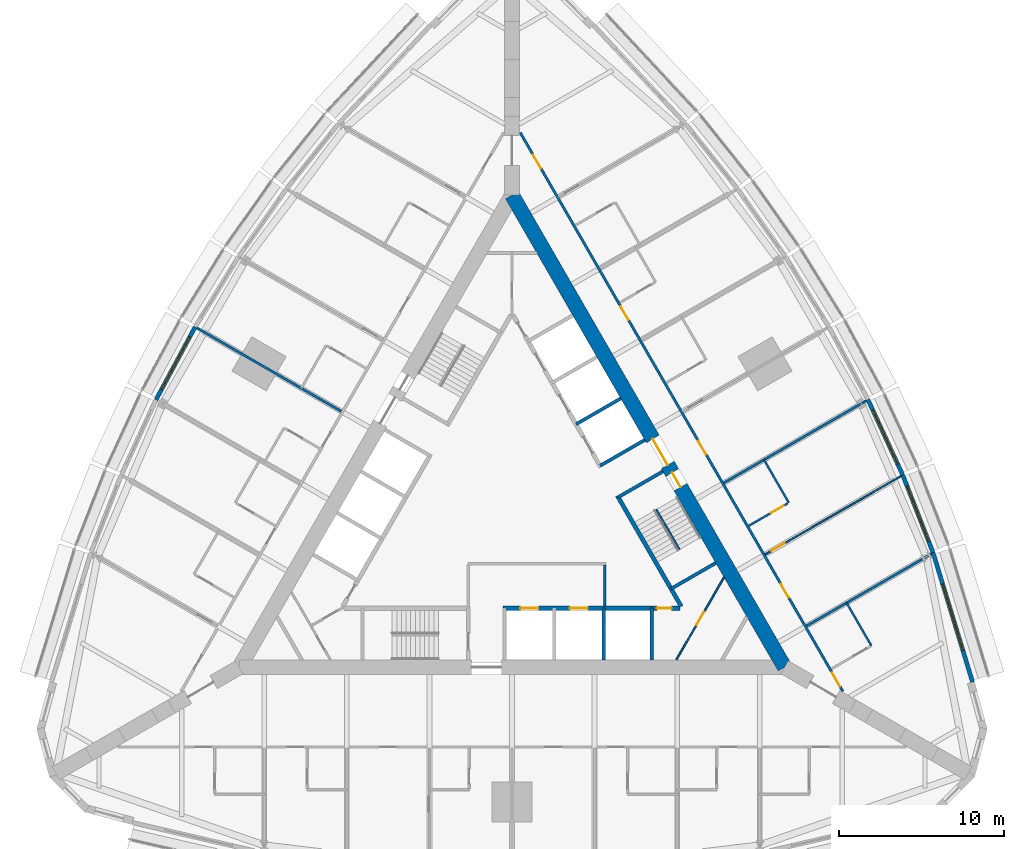
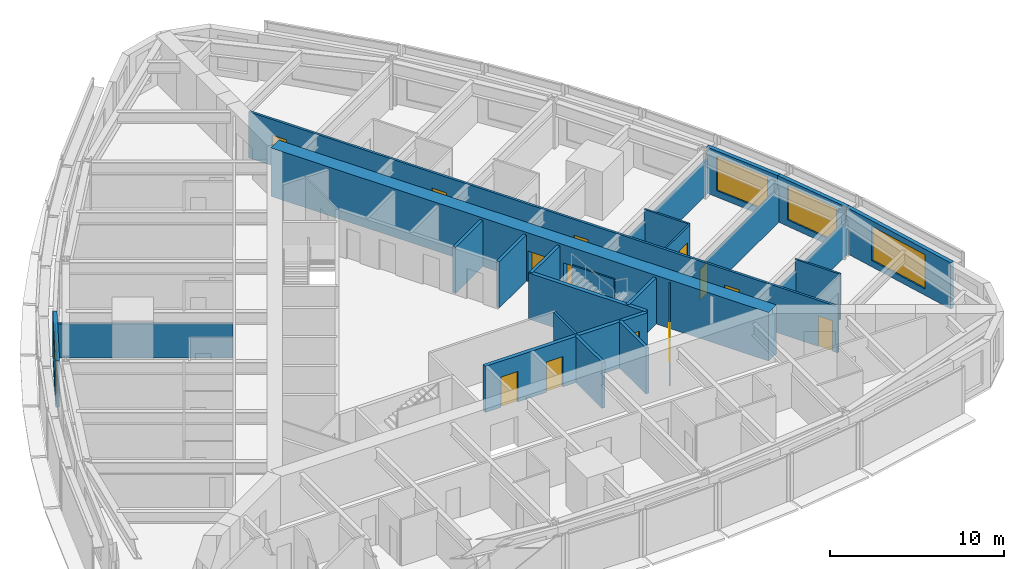
# One storey, part 11 of 14: 24 walls, 13 doors, 4 windows, 17 openings.
"""IFC4 building model written with IfcOpenShell, lengths in metres."""

from ifc_helpers import new_model, si_unit, direction, frame, frame_2d, origin, place, context, subcontext, project, spatial, rectangle, extrude, material, layer, layer_set, type_object, element, fill, save


model = new_model("IFC4")

# Units and contexts
model_context = context("Model", 3, precision=1e-05, world=origin(), true_north=direction((0.0, 1.0)))
body_context = subcontext(model_context, "Body", "Model", "MODEL_VIEW")
ifc_project = project(units=[si_unit("LENGTHUNIT", "METRE"), si_unit("AREAUNIT", "SQUARE_METRE"), si_unit("VOLUMEUNIT", "CUBIC_METRE"), si_unit("PLANEANGLEUNIT", "RADIAN"), si_unit("MASSUNIT", "GRAM", prefix="KILO")], contexts=[model_context])

# Site, building, storey
site_placement = place(None, origin())
site = spatial("IfcSite", under=ifc_project, at=site_placement, CompositionType="ELEMENT")
building_placement = place(site_placement, origin())
building = spatial("IfcBuilding", under=site, at=building_placement, Name="Trikona Tower", CompositionType="ELEMENT")
storey_placement = place(building_placement, frame((0.0, 0.0, 72.699951171875)))
storey = spatial("IfcBuildingStorey", under=building, at=storey_placement, Name="L18", CompositionType="ELEMENT", Elevation=72.699951171875)

# Walls
ifc_material_1 = material(Name="Metal stud and cement board", Category="gypsum")
ifc_layer_1 = layer(ifc_material_1, 0.1201171875)
ifc_layer_set_1 = layer_set([ifc_layer_1], Name="Bathroom wall 120")
wall_type_1 = type_object("IfcWallType", Name="Bathroom wall 120", PredefinedType="PLUMBINGWALL", material=ifc_layer_set_1)
for number, where, z_axis, x_axis, name in (
    (1, (21.75341796875, -8.225341796875, 0.0), (0.0, 0.0, 1.0), (-0.499990139034, 0.866031096941, 0.0), "Bathroom wall 1807"),
    (2, (16.75341796875, 0.434814453125, 0.0), (0.0, 0.0, 1.0), (-0.499990139034, 0.866031096941, 0.0), "Bathroom wall 1808.1"),
):
    element("IfcWall", number, at=place(storey_placement, frame(where, z_axis=z_axis, x_axis=x_axis)), inside=storey, type_object=wall_type_1, Name=name, PredefinedType="PLUMBINGWALL", context=body_context, shape_type="SweptSolid", body=[
        extrude(rectangle(XDim=3.0, YDim=0.1201171875, at=frame_2d((1.5, 0.0))), origin(), (0.0, 0.0, 1.0), 3.235107421875),
    ])

# Wall, opening, door
wall_1_placement = place(storey_placement, frame((14.32861328125, -0.965087890625, 0.0), z_axis=(0.0, 0.0, 1.0), x_axis=(0.866035715982, 0.499982138324, 0.0)))
wall_1 = element("IfcWall", 3, at=wall_1_placement, inside=storey, type_object=wall_type_1, Name="Bathroom wall 1808.1", PredefinedType="PLUMBINGWALL", context=body_context, shape_type="SweptSolid", body=[
    extrude(rectangle(XDim=2.73974609375, YDim=0.1201171875, at=frame_2d((1.369873046875, 0.0))), origin(), (0.0, 0.0, 1.0), 3.235107421875),
])
opening_1_placement = place(wall_1_placement, frame((1.550048828125, 0.0, 0.0)))
opening_1 = element("IfcOpeningElement", 4, at=opening_1_placement, cuts=wall_1, Name="Opening D2", PredefinedType="OPENING", context=body_context, shape_type="SweptSolid", body=[
    extrude(rectangle(XDim=0.89990234375, YDim=2.1298828125, at=frame_2d((0.449951171875, 1.06494140625))), frame((0.0, 0.070068359375, 0.0), z_axis=(0.0, -1.0, 0.0), x_axis=(1.0, 0.0, 0.0)), (0.0, 0.0, 1.0), 0.14013671875),
])
ifc_material_2 = material(Name="Steel door frame with solid-core timber leaf", Category="steel")
door_type_1 = type_object("IfcDoorType", Name="Bathroom door 900x2130", OperationType="SLIDING_TO_LEFT", PredefinedType="DOOR", material=ifc_material_2)
door_1_placement = place(opening_1_placement, origin())
door_1 = element("IfcDoor", 5, at=door_1_placement, inside=storey, type_object=door_type_1, Name="Bathroom door 1808.1", OperationType="SLIDING_TO_LEFT", OverallHeight=2.1298828125, OverallWidth=0.89990234375, PredefinedType="DOOR", context=body_context, shape_type="SweptSolid", body=[
    extrude(rectangle(XDim=0.89990234375, YDim=2.1298828125, at=frame_2d((0.449951171875, 1.06494140625))), frame((0.0, 0.02490234375, 0.0), z_axis=(0.0, -1.0, 0.0), x_axis=(1.0, 0.0, 0.0)), (0.0, 0.0, 1.0), 0.050048828125),
])
fill(opening_1, door_1)

# Wall, openings, doors
ifc_material_3 = material(Name="Concrete f'c 10000 psi", Category="concrete")
ifc_layer_2 = layer(ifc_material_3, 0.89990234375)
ifc_layer_set_2 = layer_set([ifc_layer_2], Name="Core wall 900")
wall_type_2 = type_object("IfcWallType", Name="Core wall 900", PredefinedType="SHEAR", material=ifc_layer_set_2)
wall_2_placement = place(storey_placement, frame((16.5, -9.5263671875, 0.0), z_axis=(0.0, 0.0, 1.0), x_axis=(-0.499999749417, 0.866025548458, 0.0)))
wall_2 = element("IfcWall", 6, at=wall_2_placement, inside=storey, type_object=wall_type_2, Name="Core wall B", PredefinedType="SHEAR", context=body_context, shape_type="SweptSolid", body=[
    extrude(rectangle(XDim=33.0, YDim=0.89990234375, at=frame_2d((16.5, 0.0))), origin(), (0.0, 0.0, 1.0), 3.400146484375),
])
opening_2_placement = place(wall_2_placement, frame((14.14990234375, 0.0, 0.0)))
opening_2 = element("IfcOpeningElement", 7, at=opening_2_placement, cuts=wall_2, Name="Opening D6", PredefinedType="OPENING", context=body_context, shape_type="SweptSolid", body=[
    extrude(rectangle(XDim=1.800048828125, YDim=2.1298828125, at=frame_2d((0.89990234375, 1.06494140625))), frame((0.0, 0.4599609375, 0.0), z_axis=(0.0, -1.0, 0.0), x_axis=(1.0, 0.0, 0.0)), (0.0, 0.0, 1.0), 0.919921875),
])
opening_3_placement = place(wall_2_placement, frame((12.60009765625, 0.0, 0.0)))
opening_3 = element("IfcOpeningElement", 8, at=opening_3_placement, cuts=wall_2, Name="Opening D5", PredefinedType="OPENING", context=body_context, shape_type="SweptSolid", body=[
    extrude(rectangle(XDim=1.0, YDim=2.1298828125, at=frame_2d((0.5, 1.06494140625))), frame((0.0, 0.4599609375, 0.0), z_axis=(0.0, -1.0, 0.0), x_axis=(1.0, 0.0, 0.0)), (0.0, 0.0, 1.0), 0.919921875),
])
ifc_material_4 = material(Name="Hollow metal door and frame", Category="steel")
door_type_2 = type_object("IfcDoorType", Name="Lobby door pair 1800x2130", OperationType="DOUBLE_DOOR_SINGLE_SWING", PredefinedType="DOOR", material=ifc_material_4)
door_2_placement = place(opening_2_placement, origin())
door_2 = element("IfcDoor", 9, at=door_2_placement, inside=storey, type_object=door_type_2, Name="Lift lobby door B", OperationType="DOUBLE_DOOR_SINGLE_SWING", OverallHeight=2.1298828125, OverallWidth=1.800048828125, PredefinedType="DOOR", context=body_context, shape_type="SweptSolid", body=[
    extrude(rectangle(XDim=1.800048828125, YDim=2.1298828125, at=frame_2d((0.89990234375, 1.06494140625))), frame((0.0, 0.02490234375, 0.0), z_axis=(0.0, -1.0, 0.0), x_axis=(1.0, 0.0, 0.0)), (0.0, 0.0, 1.0), 0.050048828125),
])
fill(opening_2, door_2)
ifc_material_5 = material(Name="Hollow metal door and frame", Category="steel")
door_type_3 = type_object("IfcDoorType", Name="Stair door 1000x2130", OperationType="SINGLE_SWING_LEFT", PredefinedType="DOOR", material=ifc_material_5)
door_3_placement = place(opening_3_placement, origin())
door_3 = element("IfcDoor", 10, at=door_3_placement, inside=storey, type_object=door_type_3, Name="Stair B door", OperationType="SINGLE_SWING_RIGHT", OverallHeight=2.1298828125, OverallWidth=1.0, PredefinedType="DOOR", context=body_context, shape_type="SweptSolid", body=[
    extrude(rectangle(XDim=1.0, YDim=2.1298828125, at=frame_2d((0.5, 1.06494140625))), frame((0.0, 0.02490234375, 0.0), z_axis=(0.0, -1.0, 0.0), x_axis=(1.0, 0.0, 0.0)), (0.0, 0.0, 1.0), 0.050048828125),
])
fill(opening_3, door_3)

ifc_material_6 = material(Name="Metal stud and gypsum board, 1-hour", Category="gypsum")
ifc_layer_3 = layer(ifc_material_6, 0.14990234375)
ifc_layer_set_3 = layer_set([ifc_layer_3], Name="Corridor wall 150")
wall_type_3 = type_object("IfcWallType", Name="Corridor wall 150", PredefinedType="PARTITIONING", material=ifc_layer_set_3)
wall_3_placement = place(storey_placement, frame((20.027099609375, -10.9853515625, 0.0), z_axis=(0.0, 0.0, 1.0), x_axis=(-0.500001677587, 0.866024435227, 0.0)))
wall_3 = element("IfcWall", 11, at=wall_3_placement, inside=storey, type_object=wall_type_3, Name="Corridor wall L18-2", PredefinedType="PARTITIONING", context=body_context, shape_type="SweptSolid", body=[
    extrude(rectangle(XDim=39.053955078125, YDim=0.14990234375, at=frame_2d((19.52685546875, 0.0))), origin(), (0.0, 0.0, 1.0), 3.235107421875),
])
opening_4_placement = place(wall_3_placement, frame((0.35205078125, 0.0, 0.0)))
opening_4 = element("IfcOpeningElement", 12, at=opening_4_placement, cuts=wall_3, Name="Opening D1", PredefinedType="OPENING", context=body_context, shape_type="SweptSolid", body=[
    extrude(rectangle(XDim=0.949951171875, YDim=2.1298828125, at=frame_2d((0.47509765625, 1.06494140625))), frame((0.0, 0.0849609375, 0.0), z_axis=(0.0, -1.0, 0.0), x_axis=(1.0, 0.0, 0.0)), (0.0, 0.0, 1.0), 0.169921875),
])
opening_5_placement = place(wall_3_placement, frame((6.552001953125, 0.0, 0.0)))
opening_5 = element("IfcOpeningElement", 13, at=opening_5_placement, cuts=wall_3, Name="Opening D1", PredefinedType="OPENING", context=body_context, shape_type="SweptSolid", body=[
    extrude(rectangle(XDim=0.949951171875, YDim=2.1298828125, at=frame_2d((0.47509765625, 1.06494140625))), frame((0.0, 0.0849609375, 0.0), z_axis=(0.0, -1.0, 0.0), x_axis=(1.0, 0.0, 0.0)), (0.0, 0.0, 1.0), 0.169921875),
])
opening_6_placement = place(wall_3_placement, frame((16.552001953125, 0.0, 0.0)))
opening_6 = element("IfcOpeningElement", 14, at=opening_6_placement, cuts=wall_3, Name="Opening D1", PredefinedType="OPENING", context=body_context, shape_type="SweptSolid", body=[
    extrude(rectangle(XDim=0.949951171875, YDim=2.1298828125, at=frame_2d((0.47509765625, 1.06494140625))), frame((0.0, 0.0849609375, 0.0), z_axis=(0.0, -1.0, 0.0), x_axis=(1.0, 0.0, 0.0)), (0.0, 0.0, 1.0), 0.169921875),
])
opening_7_placement = place(wall_3_placement, frame((25.951904296875, 0.0, 0.0)))
opening_7 = element("IfcOpeningElement", 15, at=opening_7_placement, cuts=wall_3, Name="Opening D1", PredefinedType="OPENING", context=body_context, shape_type="SweptSolid", body=[
    extrude(rectangle(XDim=0.949951171875, YDim=2.1298828125, at=frame_2d((0.47509765625, 1.06494140625))), frame((0.0, 0.0849609375, 0.0), z_axis=(0.0, -1.0, 0.0), x_axis=(1.0, 0.0, 0.0)), (0.0, 0.0, 1.0), 0.169921875),
])
opening_8_placement = place(wall_3_placement, frame((36.545654296875, 0.0, 0.0)))
opening_8 = element("IfcOpeningElement", 16, at=opening_8_placement, cuts=wall_3, Name="Opening D1", PredefinedType="OPENING", context=body_context, shape_type="SweptSolid", body=[
    extrude(rectangle(XDim=0.949951171875, YDim=2.1298828125, at=frame_2d((0.47509765625, 1.06494140625))), frame((0.0, 0.0849609375, 0.0), z_axis=(0.0, -1.0, 0.0), x_axis=(1.0, 0.0, 0.0)), (0.0, 0.0, 1.0), 0.169921875),
])
ifc_material_7 = material(Name="Steel door frame with solid-core timber leaf", Category="steel")
door_type_4 = type_object("IfcDoorType", Name="Guest room door 950x2130", OperationType="SINGLE_SWING_LEFT", PredefinedType="DOOR", material=ifc_material_7)
door_4_placement = place(opening_4_placement, origin())
door_4 = element("IfcDoor", 17, at=door_4_placement, inside=storey, type_object=door_type_4, Name="Room door 1807", OperationType="SINGLE_SWING_LEFT", OverallHeight=2.1298828125, OverallWidth=0.949951171875, PredefinedType="DOOR", context=body_context, shape_type="SweptSolid", body=[
    extrude(rectangle(XDim=0.949951171875, YDim=2.1298828125, at=frame_2d((0.47509765625, 1.06494140625))), frame((0.0, 0.02490234375, 0.0), z_axis=(0.0, -1.0, 0.0), x_axis=(1.0, 0.0, 0.0)), (0.0, 0.0, 1.0), 0.050048828125),
])
fill(opening_4, door_4)
door_5_placement = place(opening_5_placement, origin())
door_5 = element("IfcDoor", 18, at=door_5_placement, inside=storey, type_object=door_type_4, Name="Room door 1808", OperationType="SINGLE_SWING_RIGHT", OverallHeight=2.1298828125, OverallWidth=0.949951171875, PredefinedType="DOOR", context=body_context, shape_type="SweptSolid", body=[
    extrude(rectangle(XDim=0.949951171875, YDim=2.1298828125, at=frame_2d((0.47509765625, 1.06494140625))), frame((0.0, 0.02490234375, 0.0), z_axis=(0.0, -1.0, 0.0), x_axis=(1.0, 0.0, 0.0)), (0.0, 0.0, 1.0), 0.050048828125),
])
fill(opening_5, door_5)
door_6_placement = place(opening_6_placement, origin())
door_6 = element("IfcDoor", 19, at=door_6_placement, inside=storey, type_object=door_type_4, Name="Room door 1809", OperationType="SINGLE_SWING_LEFT", OverallHeight=2.1298828125, OverallWidth=0.949951171875, PredefinedType="DOOR", context=body_context, shape_type="SweptSolid", body=[
    extrude(rectangle(XDim=0.949951171875, YDim=2.1298828125, at=frame_2d((0.47509765625, 1.06494140625))), frame((0.0, 0.02490234375, 0.0), z_axis=(0.0, -1.0, 0.0), x_axis=(1.0, 0.0, 0.0)), (0.0, 0.0, 1.0), 0.050048828125),
])
fill(opening_6, door_6)
door_7_placement = place(opening_7_placement, origin())
door_7 = element("IfcDoor", 20, at=door_7_placement, inside=storey, type_object=door_type_4, Name="Room door 1810", OperationType="SINGLE_SWING_RIGHT", OverallHeight=2.1298828125, OverallWidth=0.949951171875, PredefinedType="DOOR", context=body_context, shape_type="SweptSolid", body=[
    extrude(rectangle(XDim=0.949951171875, YDim=2.1298828125, at=frame_2d((0.47509765625, 1.06494140625))), frame((0.0, 0.02490234375, 0.0), z_axis=(0.0, -1.0, 0.0), x_axis=(1.0, 0.0, 0.0)), (0.0, 0.0, 1.0), 0.050048828125),
])
fill(opening_7, door_7)
door_8_placement = place(opening_8_placement, origin())
door_8 = element("IfcDoor", 21, at=door_8_placement, inside=storey, type_object=door_type_4, Name="Room door 1811", OperationType="SINGLE_SWING_RIGHT", OverallHeight=2.1298828125, OverallWidth=0.949951171875, PredefinedType="DOOR", context=body_context, shape_type="SweptSolid", body=[
    extrude(rectangle(XDim=0.949951171875, YDim=2.1298828125, at=frame_2d((0.47509765625, 1.06494140625))), frame((0.0, 0.02490234375, 0.0), z_axis=(0.0, -1.0, 0.0), x_axis=(1.0, 0.0, 0.0)), (0.0, 0.0, 1.0), 0.050048828125),
])
fill(opening_8, door_8)

ifc_material_8 = material(Name="Concrete f'c 8000 psi", Category="concrete")
ifc_layer_4 = layer(ifc_material_8, 0.25)
ifc_layer_set_4 = layer_set([ifc_layer_4], Name="Hub wall 250")
wall_type_4 = type_object("IfcWallType", Name="Hub wall 250", PredefinedType="SOLIDWALL", material=ifc_layer_set_4)
wall_4_placement = place(storey_placement, frame((-0.550048828125, -5.951416015625, 0.0), z_axis=(0.0, 0.0, 1.0), x_axis=(1.0, 0.0, 0.0)))
wall_4 = element("IfcWall", 22, at=wall_4_placement, inside=storey, type_object=wall_type_4, Name="Lift lobby wall A2", PredefinedType="SOLIDWALL", context=body_context, shape_type="SweptSolid", body=[
    extrude(rectangle(XDim=10.73291015625, YDim=0.25, at=frame_2d((5.366455078125, 0.0))), origin(), (0.0, 0.0, 1.0), 3.235107421875),
])
opening_9_placement = place(wall_4_placement, frame((9.31396484375, 0.0, 0.0)))
opening_9 = element("IfcOpeningElement", 23, at=opening_9_placement, cuts=wall_4, Name="Opening D14", PredefinedType="OPENING", context=body_context, shape_type="SweptSolid", body=[
    extrude(rectangle(XDim=0.89990234375, YDim=2.1298828125, at=frame_2d((0.449951171875, 1.06494140625))), frame((0.0, 0.135009765625, 0.0), z_axis=(0.0, -1.0, 0.0), x_axis=(1.0, 0.0, 0.0)), (0.0, 0.0, 1.0), 0.27001953125),
])
opening_10_placement = place(wall_4_placement, frame((1.050048828125, 0.0, 0.0)))
opening_10 = element("IfcOpeningElement", 24, at=opening_10_placement, cuts=wall_4, Name="Opening LD", PredefinedType="OPENING", context=body_context, shape_type="SweptSolid", body=[
    extrude(rectangle(XDim=1.10009765625, YDim=2.1298828125, at=frame_2d((0.550048828125, 1.06494140625))), frame((0.0, 0.135009765625, 0.0), z_axis=(0.0, -1.0, 0.0), x_axis=(1.0, 0.0, 0.0)), (0.0, 0.0, 1.0), 0.27001953125),
])
opening_11_placement = place(wall_4_placement, frame((4.050048828125, 0.0, 0.0)))
opening_11 = element("IfcOpeningElement", 25, at=opening_11_placement, cuts=wall_4, Name="Opening LD", PredefinedType="OPENING", context=body_context, shape_type="SweptSolid", body=[
    extrude(rectangle(XDim=1.10009765625, YDim=2.1298828125, at=frame_2d((0.550048828125, 1.06494140625))), frame((0.0, 0.135009765625, 0.0), z_axis=(0.0, -1.0, 0.0), x_axis=(1.0, 0.0, 0.0)), (0.0, 0.0, 1.0), 0.27001953125),
])
ifc_material_9 = material(Name="Stainless steel lift landing door", Category="steel")
door_type_5 = type_object("IfcDoorType", Name="Lift landing door 1100x2130", OperationType="DOUBLE_DOOR_SLIDING", PredefinedType="USERDEFINED", material=ifc_material_9)
door_9_placement = place(opening_10_placement, origin())
door_9 = element("IfcDoor", 26, at=door_9_placement, inside=storey, type_object=door_type_5, Name="Lift landing door FF1", ObjectType="LIFT LANDING DOOR", OperationType="DOUBLE_DOOR_SLIDING", OverallHeight=2.1298828125, OverallWidth=1.10009765625, PredefinedType="USERDEFINED", context=body_context, shape_type="SweptSolid", body=[
    extrude(rectangle(XDim=1.10009765625, YDim=2.1298828125, at=frame_2d((0.550048828125, 1.06494140625))), frame((0.0, 0.02490234375, 0.0), z_axis=(0.0, -1.0, 0.0), x_axis=(1.0, 0.0, 0.0)), (0.0, 0.0, 1.0), 0.050048828125),
])
fill(opening_10, door_9)
door_10_placement = place(opening_11_placement, origin())
door_10 = element("IfcDoor", 27, at=door_10_placement, inside=storey, type_object=door_type_5, Name="Lift landing door FF2", ObjectType="LIFT LANDING DOOR", OperationType="DOUBLE_DOOR_SLIDING", OverallHeight=2.1298828125, OverallWidth=1.10009765625, PredefinedType="USERDEFINED", context=body_context, shape_type="SweptSolid", body=[
    extrude(rectangle(XDim=1.10009765625, YDim=2.1298828125, at=frame_2d((0.550048828125, 1.06494140625))), frame((0.0, 0.02490234375, 0.0), z_axis=(0.0, -1.0, 0.0), x_axis=(1.0, 0.0, 0.0)), (0.0, 0.0, 1.0), 0.050048828125),
])
fill(opening_11, door_10)
ifc_material_10 = material(Name="Hollow metal door and frame", Category="steel")
door_type_6 = type_object("IfcDoorType", Name="Service room door 900x2130", OperationType="SINGLE_SWING_LEFT", PredefinedType="DOOR", material=ifc_material_10)
door_11_placement = place(opening_9_placement, origin())
door_11 = element("IfcDoor", 28, at=door_11_placement, inside=storey, type_object=door_type_6, Name="Door Ice and vending ICE", OperationType="SINGLE_SWING_RIGHT", OverallHeight=2.1298828125, OverallWidth=0.89990234375, PredefinedType="DOOR", context=body_context, shape_type="SweptSolid", body=[
    extrude(rectangle(XDim=0.89990234375, YDim=2.1298828125, at=frame_2d((0.449951171875, 1.06494140625))), frame((0.0, 0.02490234375, 0.0), z_axis=(0.0, -1.0, 0.0), x_axis=(1.0, 0.0, 0.0)), (0.0, 0.0, 1.0), 0.050048828125),
])
fill(opening_9, door_11)

# Wall
wall_5_placement = place(storey_placement, frame((10.245361328125, -5.843017578125, 0.0), z_axis=(0.0, 0.0, 1.0), x_axis=(-0.499993009313, 0.866029439822, 0.0)))
element("IfcWall", 29, at=wall_5_placement, inside=storey, type_object=wall_type_4, Name="Lift lobby wall B1", PredefinedType="SOLIDWALL", context=body_context, shape_type="SweptSolid", body=[
    extrude(rectangle(XDim=7.73291015625, YDim=0.25, at=frame_2d((3.866455078125, 0.0))), origin(), (0.0, 0.0, 1.0), 3.235107421875),
])

# Wall, opening, window
ifc_material_11 = material(Name="Insulated precast concrete spandrel panel", Category="concrete")
ifc_layer_5 = layer(ifc_material_11, 0.25)
ifc_layer_set_5 = layer_set([ifc_layer_5], Name="Inner skin wall 250")
wall_type_5 = type_object("IfcWallType", Name="Inner skin wall 250", PredefinedType="STANDARD", material=ifc_layer_set_5)
wall_6_placement = place(storey_placement, frame((27.88037109375, -10.4287109375, 0.0), z_axis=(0.0, 0.0, 1.0), x_axis=(-0.2919790669, 0.956424709265, 0.0)))
wall_6 = element("IfcWall", 30, at=wall_6_placement, inside=storey, type_object=wall_type_5, Name="External wall L18-12", PredefinedType="STANDARD", context=body_context, shape_type="SweptSolid", body=[
    extrude(rectangle(XDim=8.211181640625, YDim=0.25, at=frame_2d((4.10546875, 0.0))), origin(), (0.0, 0.0, 1.0), 3.235107421875),
])
opening_12_placement = place(wall_6_placement, frame((2.005615234375, 0.0, 0.449951171875)))
opening_12 = element("IfcOpeningElement", 31, at=opening_12_placement, cuts=wall_6, Name="Opening W4224", PredefinedType="OPENING", context=body_context, shape_type="SweptSolid", body=[
    extrude(rectangle(XDim=4.199951171875, YDim=2.39990234375, at=frame_2d((2.10009765625, 1.199951171875))), frame((0.0, 0.135009765625, 0.0), z_axis=(0.0, -1.0, 0.0), x_axis=(1.0, 0.0, 0.0)), (0.0, 0.0, 1.0), 0.27001953125),
])
ifc_material_12 = material(Name="Aluminium-framed double glazing", Category="aluminium")
window_type_1 = type_object("IfcWindowType", Name="Window 4200x2400", PartitioningType="SINGLE_PANEL", PredefinedType="WINDOW", material=ifc_material_12)
window_1_placement = place(opening_12_placement, origin())
window_1 = element("IfcWindow", 32, at=window_1_placement, inside=storey, type_object=window_type_1, Name="Window 1807", OverallHeight=2.39990234375, OverallWidth=4.199951171875, PartitioningType="SINGLE_PANEL", PredefinedType="WINDOW", context=body_context, shape_type="SweptSolid", body=[
    extrude(rectangle(XDim=4.199951171875, YDim=2.39990234375, at=frame_2d((2.10009765625, 1.199951171875))), frame((0.0, 0.030029296875, 0.0), z_axis=(0.0, -1.0, 0.0), x_axis=(1.0, 0.0, 0.0)), (0.0, 0.0, 1.0), 0.06005859375),
])
fill(opening_12, window_1)

wall_7_placement = place(storey_placement, frame((25.486083984375, -2.58447265625, 0.0), z_axis=(0.0, 0.0, 1.0), x_axis=(-0.364013463868, 0.931393685894, 0.0)))
wall_7 = element("IfcWall", 33, at=wall_7_placement, inside=storey, type_object=wall_type_5, Name="External wall L18-13", PredefinedType="STANDARD", context=body_context, shape_type="SweptSolid", body=[
    extrude(rectangle(XDim=5.0576171875, YDim=0.25, at=frame_2d((2.52880859375, 0.0))), origin(), (0.0, 0.0, 1.0), 3.235107421875),
])
opening_13_placement = place(wall_7_placement, frame((0.728759765625, 0.0, 0.449951171875)))
opening_13 = element("IfcOpeningElement", 34, at=opening_13_placement, cuts=wall_7, Name="Opening W3624", PredefinedType="OPENING", context=body_context, shape_type="SweptSolid", body=[
    extrude(rectangle(XDim=3.60009765625, YDim=2.39990234375, at=frame_2d((1.800048828125, 1.199951171875))), frame((0.0, 0.135009765625, 0.0), z_axis=(0.0, -1.0, 0.0), x_axis=(1.0, 0.0, 0.0)), (0.0, 0.0, 1.0), 0.27001953125),
])
ifc_material_13 = material(Name="Aluminium-framed double glazing", Category="aluminium")
window_type_2 = type_object("IfcWindowType", Name="Window 3600x2400", PartitioningType="SINGLE_PANEL", PredefinedType="WINDOW", material=ifc_material_13)
window_2_placement = place(opening_13_placement, origin())
window_2 = element("IfcWindow", 35, at=window_2_placement, inside=storey, type_object=window_type_2, Name="Window 1808", OverallHeight=2.39990234375, OverallWidth=3.60009765625, PartitioningType="SINGLE_PANEL", PredefinedType="WINDOW", context=body_context, shape_type="SweptSolid", body=[
    extrude(rectangle(XDim=3.60009765625, YDim=2.39990234375, at=frame_2d((1.800048828125, 1.199951171875))), frame((0.0, 0.030029296875, 0.0), z_axis=(0.0, -1.0, 0.0), x_axis=(1.0, 0.0, 0.0)), (0.0, 0.0, 1.0), 0.06005859375),
])
fill(opening_13, window_2)

wall_8_placement = place(storey_placement, frame((23.64794921875, 2.119384765625, 0.0), z_axis=(0.0, 0.0, 1.0), x_axis=(-0.419203100754, 0.907892482796, 0.0)))
wall_8 = element("IfcWall", 36, at=wall_8_placement, inside=storey, type_object=wall_type_5, Name="External wall L18-14", PredefinedType="STANDARD", context=body_context, shape_type="SweptSolid", body=[
    extrude(rectangle(XDim=5.020751953125, YDim=0.25, at=frame_2d((2.51025390625, 0.0))), origin(), (0.0, 0.0, 1.0), 3.235107421875),
])
opening_14_placement = place(wall_8_placement, frame((0.71044921875, 0.0, 0.449951171875)))
opening_14 = element("IfcOpeningElement", 37, at=opening_14_placement, cuts=wall_8, Name="Opening W3624", PredefinedType="OPENING", context=body_context, shape_type="SweptSolid", body=[
    extrude(rectangle(XDim=3.60009765625, YDim=2.39990234375, at=frame_2d((1.800048828125, 1.199951171875))), frame((0.0, 0.135009765625, 0.0), z_axis=(0.0, -1.0, 0.0), x_axis=(1.0, 0.0, 0.0)), (0.0, 0.0, 1.0), 0.27001953125),
])
window_3_placement = place(opening_14_placement, origin())
window_3 = element("IfcWindow", 38, at=window_3_placement, inside=storey, type_object=window_type_2, Name="Window 1808.1", OverallHeight=2.39990234375, OverallWidth=3.60009765625, PartitioningType="SINGLE_PANEL", PredefinedType="WINDOW", context=body_context, shape_type="SweptSolid", body=[
    extrude(rectangle(XDim=3.60009765625, YDim=2.39990234375, at=frame_2d((1.800048828125, 1.199951171875))), frame((0.0, 0.030029296875, 0.0), z_axis=(0.0, -1.0, 0.0), x_axis=(1.0, 0.0, 0.0)), (0.0, 0.0, 1.0), 0.06005859375),
])
fill(opening_14, window_3)

wall_9_placement = place(storey_placement, frame((-19.178466796875, 11.0771484375, 0.0), z_axis=(0.0, 0.0, 1.0), x_axis=(-0.473412820489, -0.880840678782, 0.0)))
wall_9 = element("IfcWall", 39, at=wall_9_placement, inside=storey, type_object=wall_type_5, Name="External wall L18-28", PredefinedType="STANDARD", context=body_context, shape_type="SweptSolid", body=[
    extrude(rectangle(XDim=5.00244140625, YDim=0.25, at=frame_2d((2.501220703125, 0.0))), origin(), (0.0, 0.0, 1.0), 3.235107421875),
])
opening_15_placement = place(wall_9_placement, frame((0.701171875, 0.0, 0.449951171875)))
opening_15 = element("IfcOpeningElement", 40, at=opening_15_placement, cuts=wall_9, Name="Opening W3624", PredefinedType="OPENING", context=body_context, shape_type="SweptSolid", body=[
    extrude(rectangle(XDim=3.60009765625, YDim=2.39990234375, at=frame_2d((1.800048828125, 1.199951171875))), frame((0.0, 0.135009765625, 0.0), z_axis=(0.0, -1.0, 0.0), x_axis=(1.0, 0.0, 0.0)), (0.0, 0.0, 1.0), 0.27001953125),
])
window_4_placement = place(opening_15_placement, origin())
window_4 = element("IfcWindow", 41, at=window_4_placement, inside=storey, type_object=window_type_2, Name="Window 1814", OverallHeight=2.39990234375, OverallWidth=3.60009765625, PartitioningType="SINGLE_PANEL", PredefinedType="WINDOW", context=body_context, shape_type="SweptSolid", body=[
    extrude(rectangle(XDim=3.60009765625, YDim=2.39990234375, at=frame_2d((1.800048828125, 1.199951171875))), frame((0.0, 0.030029296875, 0.0), z_axis=(0.0, -1.0, 0.0), x_axis=(1.0, 0.0, 0.0)), (0.0, 0.0, 1.0), 0.06005859375),
])
fill(opening_15, window_4)

# Walls
ifc_material_14 = material(Name="Metal stud and gypsum board, 2-hour shaft wall", Category="gypsum")
ifc_layer_6 = layer(ifc_material_14, 0.14990234375)
ifc_layer_set_6 = layer_set([ifc_layer_6], Name="Lobby wall 150")
wall_type_6 = type_object("IfcWallType", Name="Lobby wall 150", PredefinedType="PARTITIONING", material=ifc_layer_set_6)
wall_10_placement = place(storey_placement, frame((5.625, -5.826416015625, 0.0), z_axis=(0.0, 0.0, 1.0), x_axis=(0.0, 1.0, 0.0)))
element("IfcWall", 42, at=wall_10_placement, inside=storey, type_object=wall_type_6, Name="Fire service lift lobby wall 3", PredefinedType="PARTITIONING", context=body_context, shape_type="SweptSolid", body=[
    extrude(rectangle(XDim=2.5, YDim=0.14990234375, at=frame_2d((1.25, 0.0))), origin(), (0.0, 0.0, 1.0), 3.235107421875),
])
ifc_material_15 = material(Name="Metal stud and gypsum board, 1-hour acoustic", Category="gypsum")
ifc_layer_7 = layer(ifc_material_15, 0.14990234375)
ifc_layer_set_7 = layer_set([ifc_layer_7], Name="Party wall 150")
wall_type_7 = type_object("IfcWallType", Name="Party wall 150", PredefinedType="PARTITIONING", material=ifc_layer_set_7)
wall_11_placement = place(storey_placement, frame((17.82861328125, -7.027099609375, 0.0), z_axis=(0.0, 0.0, 1.0), x_axis=(0.866032659912, 0.499987431809, 0.0)))
element("IfcWall", 43, at=wall_11_placement, inside=storey, type_object=wall_type_7, Name="Partition L18 F2 u-15", PredefinedType="PARTITIONING", context=body_context, shape_type="SweptSolid", body=[
    extrude(rectangle(XDim=8.719970703125, YDim=0.14990234375, at=frame_2d((4.35986328125, 0.0))), origin(), (0.0, 0.0, 1.0), 2.38916015625),
])
wall_12_placement = place(storey_placement, frame((12.82861328125, 1.633056640625, 0.0), z_axis=(0.0, 0.0, 1.0), x_axis=(0.866026934769, 0.499997348248, 0.0)))
element("IfcWall", 44, at=wall_12_placement, inside=storey, type_object=wall_type_7, Name="Partition L18 F2 u-5", PredefinedType="PARTITIONING", context=body_context, shape_type="SweptSolid", body=[
    extrude(rectangle(XDim=9.94287109375, YDim=0.14990234375, at=frame_2d((4.971435546875, 0.0))), origin(), (0.0, 0.0, 1.0), 2.38916015625),
])
wall_13_placement = place(storey_placement, frame((-10.32861328125, 5.963134765625, 0.0), z_axis=(0.0, 0.0, 1.0), x_axis=(-0.866021688545, 0.500006434927, 0.0)))
element("IfcWall", 45, at=wall_13_placement, inside=storey, type_object=wall_type_7, Name="Partition L18 F3 u-5.10703e-15", PredefinedType="PARTITIONING", context=body_context, shape_type="SweptSolid", body=[
    extrude(rectangle(XDim=10.095947265625, YDim=0.14990234375, at=frame_2d((5.0478515625, 0.0))), origin(), (0.0, 0.0, 1.0), 2.38916015625),
])
ifc_material_16 = material(Name="Concrete f'c 8000 psi", Category="concrete")
ifc_layer_8 = layer(ifc_material_16, 0.199951171875)
ifc_layer_set_8 = layer_set([ifc_layer_8], Name="Shaft wall 200")
wall_type_8 = type_object("IfcWallType", Name="Shaft wall 200", PredefinedType="SOLIDWALL", material=ifc_layer_set_8)
for number, where, z_axis, x_axis, name in (
    (46, (5.550048828125, -5.951416015625, 0.0), (0.0, 0.0, 1.0), (0.0, -1.0, 0.0), "Shaft wall A5"),
    (47, (8.449951171875, -5.951416015625, 0.0), (0.0, 0.0, 1.0), (0.0, -1.0, 0.0), "Shaft wall A6"),
    (48, (5.3291015625, 2.672607421875, 0.0), (0.0, 0.0, 1.0), (0.866022959057, 0.500004234368, 0.0), "Shaft wall B3"),
    (49, (3.87890625, 5.18408203125, 0.0), (0.0, 0.0, 1.0), (0.866022959057, 0.500004234368, 0.0), "Shaft wall B4"),
):
    element("IfcWall", number, at=place(storey_placement, frame(where, z_axis=z_axis, x_axis=x_axis)), inside=storey, type_object=wall_type_8, Name=name, PredefinedType="SOLIDWALL", context=body_context, shape_type="SweptSolid", body=[
        extrude(rectangle(XDim=3.125, YDim=0.199951171875, at=frame_2d((1.5625, 0.0))), origin(), (0.0, 0.0, 1.0), 3.235107421875),
    ])
ifc_material_17 = material(Name="Concrete f'c 8000 psi", Category="concrete")
ifc_layer_9 = layer(ifc_material_17, 0.199951171875)
ifc_layer_set_9 = layer_set([ifc_layer_9], Name="Shaft wall 200 load-bearing")
wall_type_9 = type_object("IfcWallType", Name="Shaft wall 200 load-bearing", PredefinedType="SOLIDWALL", material=ifc_layer_set_9)
for number, where, z_axis, x_axis, name in (
    (50, (9.62890625, -4.775390625, 0.0), (0.0, 0.0, 1.0), (0.866022959057, 0.500004234368, 0.0), "Shaft wall B1"),
    (51, (6.428955078125, 0.767333984375, 0.0), (0.0, 0.0, 1.0), (0.866022959057, 0.500004234368, 0.0), "Shaft wall B2"),
):
    element("IfcWall", number, at=place(storey_placement, frame(where, z_axis=z_axis, x_axis=x_axis)), inside=storey, type_object=wall_type_9, Name=name, PredefinedType="SOLIDWALL", context=body_context, shape_type="SweptSolid", body=[
        extrude(rectangle(XDim=3.125, YDim=0.199951171875, at=frame_2d((1.5625, 0.0))), origin(), (0.0, 0.0, 1.0), 3.235107421875),
    ])
ifc_material_18 = material(Name="Concrete f'c 5000 psi", Category="concrete")
ifc_layer_10 = layer(ifc_material_18, 0.10009765625)
ifc_layer_set_10 = layer_set([ifc_layer_10], Name="Stair spine wall 100")
wall_type_10 = type_object("IfcWallType", Name="Stair spine wall 100", PredefinedType="SOLIDWALL", material=ifc_layer_set_10)
wall_14_placement = place(storey_placement, frame((10.134765625, -2.4013671875, 0.0), z_axis=(0.0, 0.0, 1.0), x_axis=(-0.499992232847, 0.866029888106, 0.0)))
element("IfcWall", 52, at=wall_14_placement, inside=storey, type_object=wall_type_10, Name="Stair B spine wall L18", PredefinedType="SOLIDWALL", context=body_context, shape_type="SweptSolid", body=[
    extrude(rectangle(XDim=2.7939453125, YDim=0.10009765625, at=frame_2d((1.39697265625, 0.0))), origin(), (0.0, 0.0, 1.0), 3.400146484375),
])

# Wall, opening, door
ifc_material_19 = material(Name="Metal stud and gypsum board, acoustic", Category="gypsum")
ifc_layer_11 = layer(ifc_material_19, 0.10009765625)
ifc_layer_set_11 = layer_set([ifc_layer_11], Name="Suite partition 100")
wall_type_11 = type_object("IfcWallType", Name="Suite partition 100", PredefinedType="PARTITIONING", material=ifc_layer_set_11)
wall_15_placement = place(storey_placement, frame((15.32861328125, -2.697021484375, 0.0), z_axis=(0.0, 0.0, 1.0), x_axis=(0.866018409083, 0.500012114982, 0.0)))
wall_15 = element("IfcWall", 53, at=wall_15_placement, inside=storey, type_object=wall_type_11, Name="Suite partition L18 F2 u-10", PredefinedType="PARTITIONING", context=body_context, shape_type="SweptSolid", body=[
    extrude(rectangle(XDim=9.484619140625, YDim=0.10009765625, at=frame_2d((4.7421875, 0.0))), origin(), (0.0, 0.0, 1.0), 2.38916015625),
])
opening_16_placement = place(wall_15_placement, frame((0.449951171875, 0.0, 0.0)))
opening_16 = element("IfcOpeningElement", 54, at=opening_16_placement, cuts=wall_15, Name="Opening D13", PredefinedType="OPENING", context=body_context, shape_type="SweptSolid", body=[
    extrude(rectangle(XDim=0.89990234375, YDim=2.1298828125, at=frame_2d((0.449951171875, 1.06494140625))), frame((0.0, 0.06005859375, 0.0), z_axis=(0.0, -1.0, 0.0), x_axis=(1.0, 0.0, 0.0)), (0.0, 0.0, 1.0), 0.1201171875),
])
ifc_material_20 = material(Name="Steel door frame with solid-core timber leaf", Category="steel")
door_type_7 = type_object("IfcDoorType", Name="Suite door 900x2130", OperationType="SINGLE_SWING_LEFT", PredefinedType="DOOR", material=ifc_material_20)
door_12_placement = place(opening_16_placement, origin())
door_12 = element("IfcDoor", 55, at=door_12_placement, inside=storey, type_object=door_type_7, Name="Suite door 1808", OperationType="SINGLE_SWING_LEFT", OverallHeight=2.1298828125, OverallWidth=0.89990234375, PredefinedType="DOOR", context=body_context, shape_type="SweptSolid", body=[
    extrude(rectangle(XDim=0.89990234375, YDim=2.1298828125, at=frame_2d((0.449951171875, 1.06494140625))), frame((0.0, 0.02490234375, 0.0), z_axis=(0.0, -1.0, 0.0), x_axis=(1.0, 0.0, 0.0)), (0.0, 0.0, 1.0), 0.050048828125),
])
fill(opening_16, door_12)

wall_16_placement = place(storey_placement, frame((12.833984375, -4.076416015625, 0.0), z_axis=(0.0, 0.0, 1.0), x_axis=(-0.500027479704, -0.866009537788, 0.0)))
wall_16 = element("IfcWall", 56, at=wall_16_placement, inside=storey, type_object=wall_type_11, Name="Store partition L18-RS1", PredefinedType="PARTITIONING", context=body_context, shape_type="SweptSolid", body=[
    extrude(rectangle(XDim=5.773681640625, YDim=0.10009765625, at=frame_2d((2.88671875, 0.0))), origin(), (0.0, 0.0, 1.0), 3.235107421875),
])
opening_17_placement = place(wall_16_placement, frame((2.436767578125, 0.0, 0.0)))
opening_17 = element("IfcOpeningElement", 57, at=opening_17_placement, cuts=wall_16, Name="Opening D15", PredefinedType="OPENING", context=body_context, shape_type="SweptSolid", body=[
    extrude(rectangle(XDim=0.89990234375, YDim=2.1298828125, at=frame_2d((0.449951171875, 1.06494140625))), frame((0.0, 0.06005859375, 0.0), z_axis=(0.0, -1.0, 0.0), x_axis=(1.0, 0.0, 0.0)), (0.0, 0.0, 1.0), 0.1201171875),
])
ifc_material_21 = material(Name="Steel door frame with solid-core timber leaf", Category="steel")
door_type_8 = type_object("IfcDoorType", Name="Store door 900x2130", OperationType="SINGLE_SWING_LEFT", PredefinedType="DOOR", material=ifc_material_21)
door_13_placement = place(opening_17_placement, origin())
door_13 = element("IfcDoor", 58, at=door_13_placement, inside=storey, type_object=door_type_8, Name="Door Cleaner's store CLN", OperationType="SINGLE_SWING_RIGHT", OverallHeight=2.1298828125, OverallWidth=0.89990234375, PredefinedType="DOOR", context=body_context, shape_type="SweptSolid", body=[
    extrude(rectangle(XDim=0.89990234375, YDim=2.1298828125, at=frame_2d((0.449951171875, 1.06494140625))), frame((0.0, 0.02490234375, 0.0), z_axis=(0.0, -1.0, 0.0), x_axis=(1.0, 0.0, 0.0)), (0.0, 0.0, 1.0), 0.050048828125),
])
fill(opening_17, door_13)

save(model, "model.ifc")
